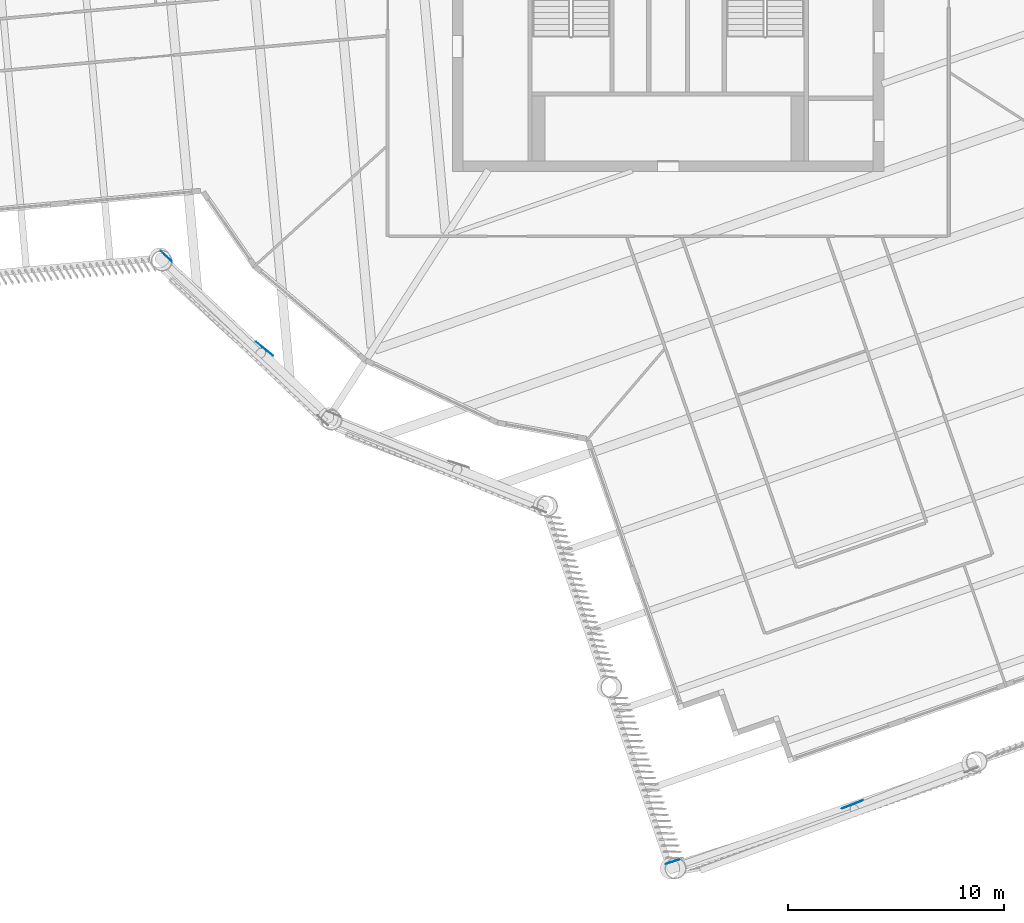
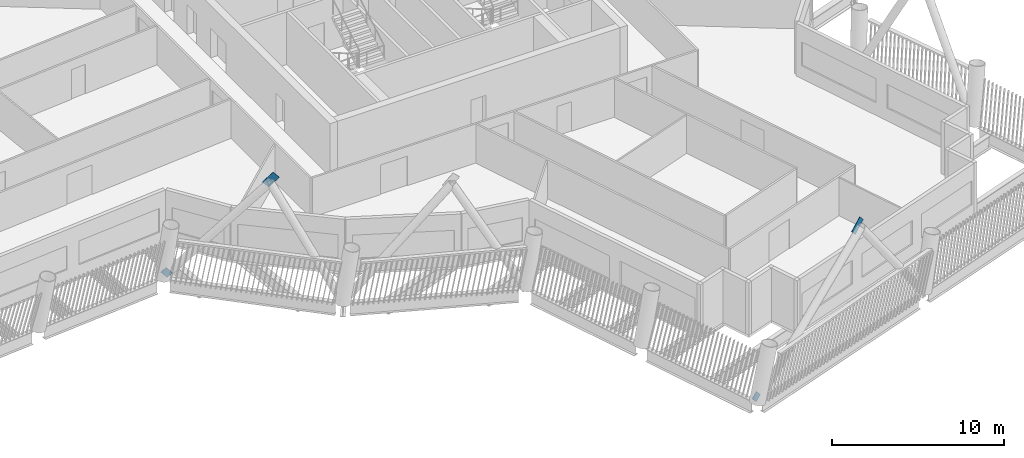
# One storey, part 8 of 23: 4 discrete accessories.
"""IFC4 building model written with IfcOpenShell, lengths in metres."""

from ifc_helpers import new_model, si_unit, direction, frame, origin, origin_2d, place, context, subcontext, project, spatial, rectangle, extrude, material, material_profile, profile_set, type_object, element, save


model = new_model("IFC4")

# Units and contexts
model_context = context("Model", 3, precision=1e-05, world=origin(), true_north=direction((0.0, 1.0)))
body_context = subcontext(model_context, "Body", "Model", "MODEL_VIEW")
ifc_project = project(units=[si_unit("LENGTHUNIT", "METRE"), si_unit("AREAUNIT", "SQUARE_METRE"), si_unit("VOLUMEUNIT", "CUBIC_METRE"), si_unit("PLANEANGLEUNIT", "RADIAN"), si_unit("MASSUNIT", "GRAM", prefix="KILO")], contexts=[model_context])

# Site, building, storey
site_placement = place(None, origin())
site = spatial("IfcSite", under=ifc_project, at=site_placement, CompositionType="ELEMENT")
building_placement = place(site_placement, origin())
building = spatial("IfcBuilding", under=site, at=building_placement, Name="Tarsis Ring Headquarters", CompositionType="ELEMENT")
storey_placement = place(building_placement, frame((0.0, 0.0, 308.0)))
storey = spatial("IfcBuildingStorey", under=building, at=storey_placement, Name="L72", CompositionType="ELEMENT", Elevation=308.0)

# Discrete accessories
ifc_material = material(Name="Structural steel S355", Category="steel")
ifc_material_profile = material_profile(ifc_material, rectangle(XDim=0.02490234375, YDim=0.5, at=origin_2d()), Name="PL 25x500")
ifc_profile_set = profile_set([ifc_material_profile], Name="Structural steel S355")
discrete_accessory_type = type_object("IfcDiscreteAccessoryType", Name="Gusset plate Exo brace 25", PredefinedType="BRACKET", material=ifc_profile_set)
discrete_accessory_1_placement = place(storey_placement, frame((0.017822265625, -45.03271484375, 0.0), z_axis=(0.71862442358, 0.228963895828, 0.656623539208), x_axis=(-0.303577676028, 0.952806693206, 0.0)))
element("IfcDiscreteAccessory", 1, at=discrete_accessory_1_placement, inside=storey, type_object=discrete_accessory_type, Name="Gusset plate GP5", PredefinedType="BRACKET", context=body_context, shape_type="SweptSolid", body=[
    extrude(rectangle(XDim=0.02490234375, YDim=0.5, at=origin_2d()), origin(), (0.0, 0.0, 1.0), 0.5),
])
discrete_accessory_2_placement = place(storey_placement, frame((8.189453125, -42.457275390625, 7.4716796875), z_axis=(0.701750928045, 0.275914595926, 0.656823241629), x_axis=(-0.365912842677, 0.930649123765, 0.0)))
element("IfcDiscreteAccessory", 2, at=discrete_accessory_2_placement, inside=storey, type_object=discrete_accessory_type, Name="Gusset plate GP5", PredefinedType="BRACKET", context=body_context, shape_type="SweptSolid", body=[
    extrude(rectangle(XDim=0.02490234375, YDim=0.5, at=origin_2d()), origin(), (0.0, 0.0, 1.0), 0.999755859375),
])
discrete_accessory_3_placement = place(storey_placement, frame((-23.368408203125, -16.810546875, 0.0), z_axis=(0.462429080556, -0.436060368466, 0.772017292882), x_axis=(0.68605934823, 0.727545579814, 0.0)))
element("IfcDiscreteAccessory", 3, at=discrete_accessory_3_placement, inside=storey, type_object=discrete_accessory_type, Name="Gusset plate GP5", PredefinedType="BRACKET", context=body_context, shape_type="SweptSolid", body=[
    extrude(rectangle(XDim=0.02490234375, YDim=0.5, at=origin_2d()), origin(), (0.0, 0.0, 1.0), 0.5),
])
discrete_accessory_4_placement = place(storey_placement, frame((-18.95458984375, -21.00244140625, 7.4140625), z_axis=(0.490486628483, -0.404303562353, 0.771985425218), x_axis=(0.636057226466, 0.771641888871, 0.0)))
element("IfcDiscreteAccessory", 4, at=discrete_accessory_4_placement, inside=storey, type_object=discrete_accessory_type, Name="Gusset plate GP5", PredefinedType="BRACKET", context=body_context, shape_type="SweptSolid", body=[
    extrude(rectangle(XDim=0.02490234375, YDim=0.5, at=origin_2d()), origin(), (0.0, 0.0, 1.0), 1.0),
])

save(model, "model.ifc")
